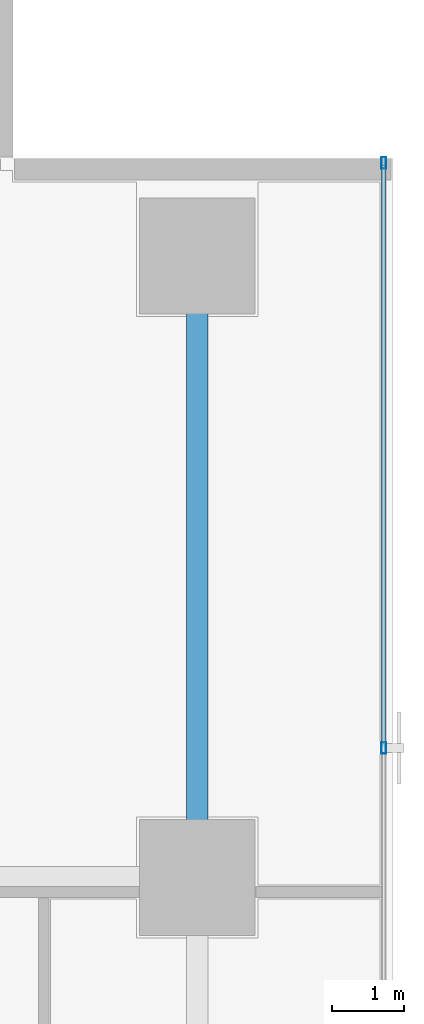
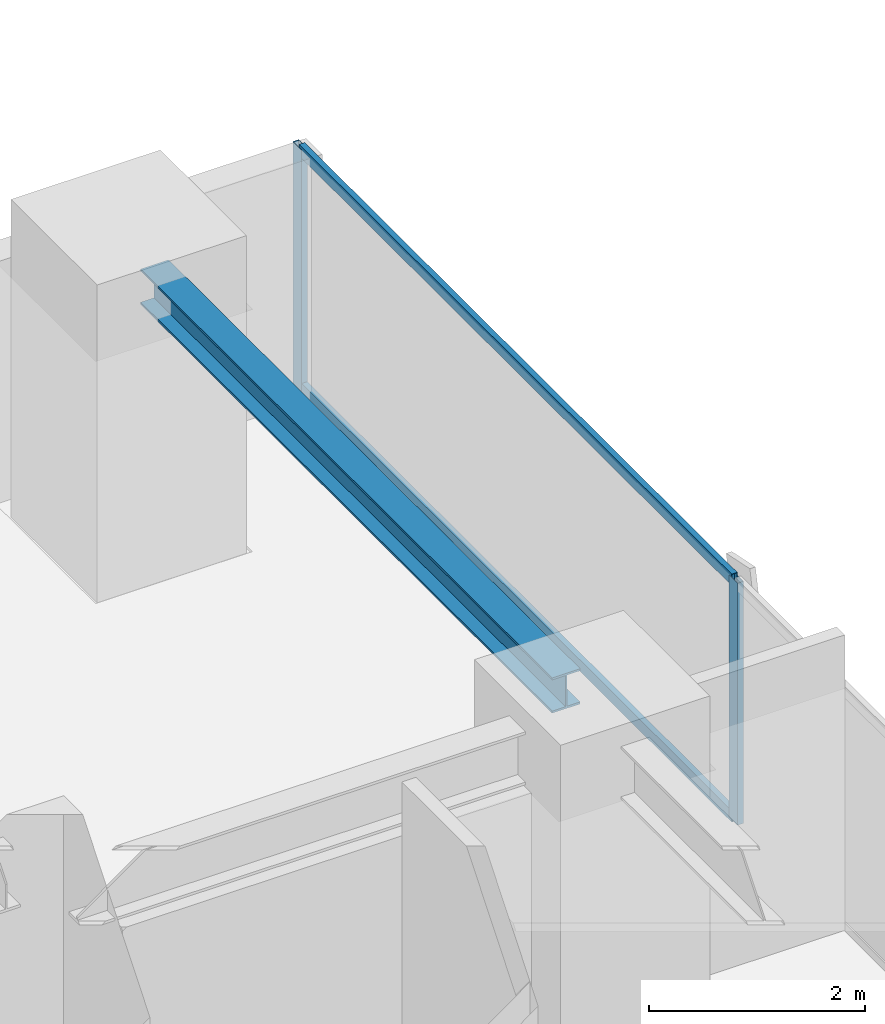
# One storey, part 24 of 37: 4 members, 1 beam, 1 element without a shape of its own.
"""IFC4 building model written with IfcOpenShell, lengths in metres."""

from ifc_helpers import new_model, si_unit, direction, frame, origin, origin_2d, place, context, subcontext, project, spatial, hollow_rectangle, i_section, extrude, source, transform, mapped, material, layer, layer_set, material_profile, profile_set, type_object, element, aggregate, save


model = new_model("IFC4")

# Units and contexts
model_context = context("Model", 3, precision=1e-05, world=origin(), true_north=direction((0.0, 1.0)))
body_context = subcontext(model_context, "Body", "Model", "MODEL_VIEW")
ifc_project = project(units=[si_unit("LENGTHUNIT", "METRE"), si_unit("AREAUNIT", "SQUARE_METRE"), si_unit("VOLUMEUNIT", "CUBIC_METRE"), si_unit("PLANEANGLEUNIT", "RADIAN"), si_unit("MASSUNIT", "GRAM", prefix="KILO")], contexts=[model_context])

# Site, building, storey
site_placement = place(None, origin())
site = spatial("IfcSite", under=ifc_project, at=site_placement, CompositionType="ELEMENT")
building_placement = place(site_placement, origin())
building = spatial("IfcBuilding", under=site, at=building_placement, Name="Sumidabori Civic Tower", CompositionType="ELEMENT")
storey_placement = place(building_placement, frame((0.0, 0.0, 95.60009765625)))
storey = spatial("IfcBuildingStorey", under=building, at=storey_placement, Name="L24", CompositionType="ELEMENT", Elevation=95.60009765625)

# Beam
ifc_material_1 = material(Name="Steel SN490", Category="steel")
ifc_material_profile_1 = material_profile(ifc_material_1, i_section(OverallWidth=0.300048828125, OverallDepth=0.39990234375, WebThickness=0.013427734375, FlangeThickness=0.02392578125, at=origin_2d()), Name="HE 400 B")
ifc_profile_set_1 = profile_set([ifc_material_profile_1], Name="Steel SN490")
beam_type = type_object("IfcBeamType", Name="BM-GIRD-400", PredefinedType="BEAM", material=ifc_profile_set_1)
shared_shape_1 = source(origin(), body_context, "Body", "SweptSolid", [
    extrude(i_section(OverallWidth=0.300048828125, OverallDepth=0.39990234375, WebThickness=0.013427734375, FlangeThickness=0.02392578125, at=origin_2d()), origin(), (0.0, 0.0, 1.0), 7.64013671875),
])
beam_placement = place(storey_placement, frame((22.800048828125, 10.679931640625, 3.159912109375), z_axis=(0.0, 1.0, 0.0), x_axis=(-1.0, 0.0, 0.0)))
element("IfcBeam", 1, at=beam_placement, inside=storey, type_object=beam_type, Name="Primary Girder L24 GY-42", PredefinedType="BEAM", context=body_context, shape_type="MappedRepresentation", body=[
    mapped(shared_shape_1, transform((0.0, 0.0, 0.0), x_axis=(1.0, 0.0, 0.0), y_axis=(0.0, 1.0, 0.0), z_axis=(0.0, 0.0, 1.0), scale=1.0)),
])

# Curtain wall, members
ifc_material_2 = material(Name="Anodised Bronze Aluminium AW-6063-T6", Category="aluminium")
ifc_layer = layer(ifc_material_2, 0.179931640625, Name="Anodised Bronze Aluminium AW-6063-T6")
ifc_layer_set = layer_set([ifc_layer], Name="Anodised Bronze Aluminium AW-6063-T6")
curtain_wall_type = type_object("IfcCurtainWallType", Name="CW-SYS-3", PredefinedType="NOTDEFINED", material=ifc_layer_set)
curtain_wall_placement = place(storey_placement, origin())
curtain_wall = element("IfcCurtainWall", 2, at=curtain_wall_placement, inside=storey, type_object=curtain_wall_type, Name="Curtain Wall CW:L24:R04", PredefinedType="NOTDEFINED")
ifc_material_profile_2 = material_profile(ifc_material_2, hollow_rectangle(XDim=0.06494140625, YDim=0.159912109375, WallThickness=0.0048828125, at=origin_2d()), Name="ALU MULLION 160x65")
ifc_profile_set_2 = profile_set([ifc_material_profile_2], Name="Anodised Bronze Aluminium AW-6063-T6")
member_type_1 = type_object("IfcMemberType", Name="CW-MUL-160", PredefinedType="MULLION", material=ifc_profile_set_2)
shared_shape_2 = source(origin(), body_context, "Body", "SweptSolid", [
    extrude(hollow_rectangle(XDim=0.06494140625, YDim=0.159912109375, WallThickness=0.0048828125, at=origin_2d()), origin(), (0.0, 0.0, 1.0), 2.739990234375),
])
member_1_placement = place(storey_placement, frame((25.3798828125, 11.991943359375, 0.0), z_axis=(0.0, 0.0, 1.0), x_axis=(-1.0, 0.0, 0.0)))
member_1 = element("IfcMember", 3, at=member_1_placement, type_object=member_type_1, Name="CW-3 mullion 5", PredefinedType="MULLION", context=body_context, shape_type="MappedRepresentation", body=[
    mapped(shared_shape_2, transform((0.0, 0.0, 0.0), x_axis=(1.0, 0.0, 0.0), y_axis=(0.0, 1.0, 0.0), z_axis=(0.0, 0.0, 1.0), scale=1.0)),
])
member_2_placement = place(storey_placement, frame((25.3798828125, 20.08740234375, 0.0), z_axis=(0.0, 0.0, 1.0), x_axis=(-1.0, 0.0, 0.0)))
member_2 = element("IfcMember", 4, at=member_2_placement, type_object=member_type_1, Name="CW-3 mullion 6", PredefinedType="MULLION", context=body_context, shape_type="MappedRepresentation", body=[
    mapped(shared_shape_2, transform((0.0, 0.0, 0.0), x_axis=(1.0, 0.0, 0.0), y_axis=(0.0, 1.0, 0.0), z_axis=(0.0, 0.0, 1.0), scale=1.0)),
])
ifc_material_profile_3 = material_profile(ifc_material_2, hollow_rectangle(XDim=0.06005859375, YDim=0.1298828125, WallThickness=0.0048828125, at=origin_2d()), Name="ALU TRANSOM 130x60")
ifc_profile_set_3 = profile_set([ifc_material_profile_3], Name="Anodised Bronze Aluminium AW-6063-T6")
member_type_2 = type_object("IfcMemberType", Name="CW-TRN-130", PredefinedType="USERDEFINED", material=ifc_profile_set_3)
shared_shape_3 = source(origin(), body_context, "Body", "SweptSolid", [
    extrude(hollow_rectangle(XDim=0.06005859375, YDim=0.1298828125, WallThickness=0.0048828125, at=origin_2d()), origin(), (0.0, 0.0, 1.0), 8.030517578125),
])
member_3_placement = place(storey_placement, frame((25.3798828125, 12.0244140625, 0.02978515625), z_axis=(0.0, 1.0, 0.0), x_axis=(-1.0, 0.0, 0.0)))
member_3 = element("IfcMember", 5, at=member_3_placement, type_object=member_type_2, Name="CW-3 transom 5.1", ObjectType="TRANSOM", PredefinedType="USERDEFINED", context=body_context, shape_type="MappedRepresentation", body=[
    mapped(shared_shape_3, transform((0.0, 0.0, 0.0), x_axis=(1.0, 0.0, 0.0), y_axis=(0.0, 1.0, 0.0), z_axis=(0.0, 0.0, 1.0), scale=1.0)),
])
member_4_placement = place(storey_placement, frame((25.3798828125, 12.0244140625, 2.7099609375), z_axis=(0.0, 1.0, 0.0), x_axis=(-1.0, 0.0, 0.0)))
member_4 = element("IfcMember", 6, at=member_4_placement, type_object=member_type_2, Name="CW-3 transom 5.2", ObjectType="TRANSOM", PredefinedType="USERDEFINED", context=body_context, shape_type="MappedRepresentation", body=[
    mapped(shared_shape_3, transform((0.0, 0.0, 0.0), x_axis=(1.0, 0.0, 0.0), y_axis=(0.0, 1.0, 0.0), z_axis=(0.0, 0.0, 1.0), scale=1.0)),
])
aggregate(curtain_wall, [member_1, member_2, member_3, member_4])

save(model, "model.ifc")
